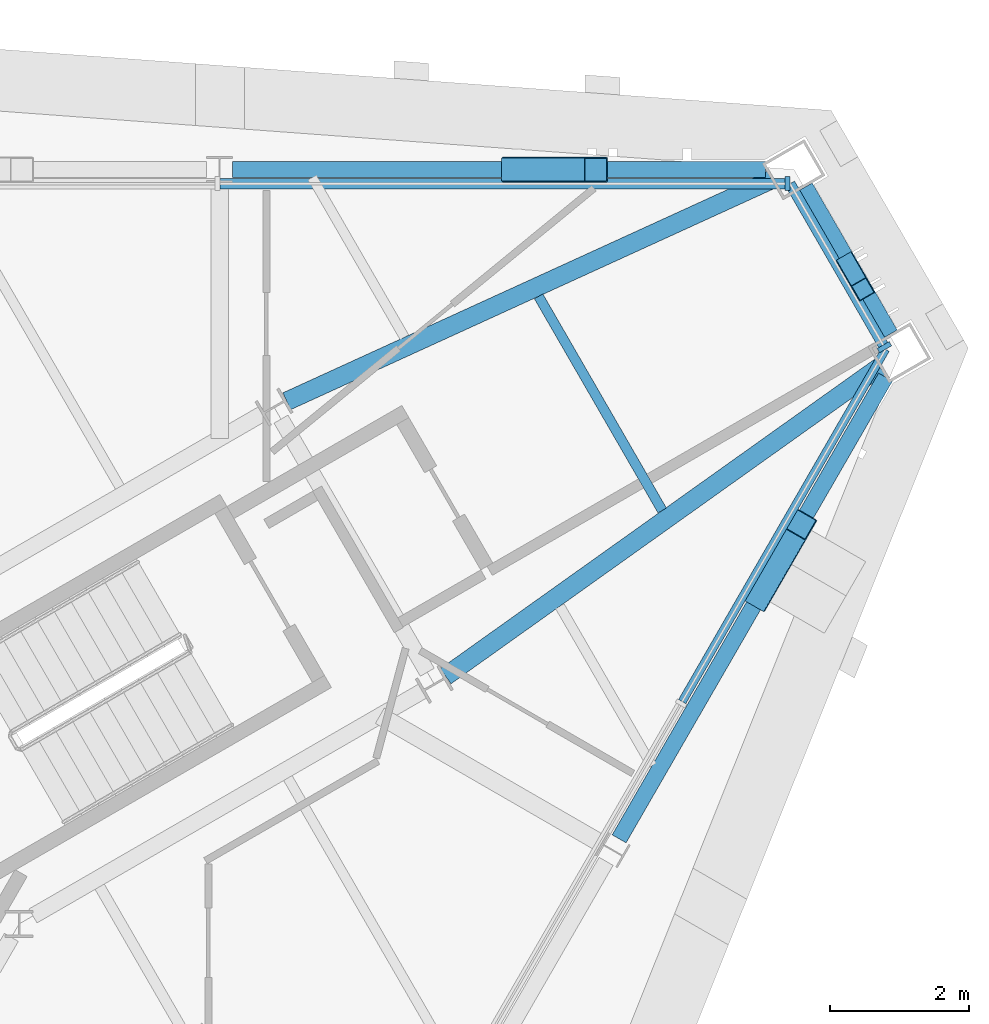
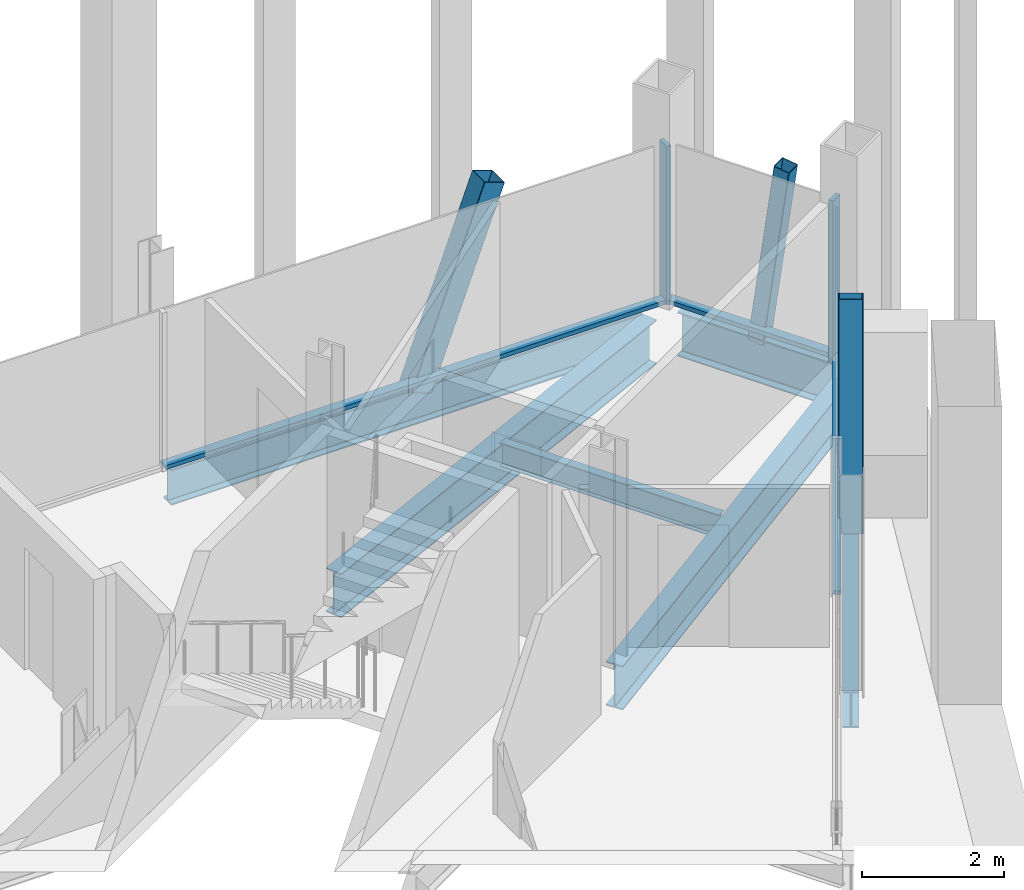
# One storey, part 7 of 15: 8 members, 6 beams, 3 elements without a shape of their own.
"""IFC4 building model written with IfcOpenShell, lengths in metres."""

from ifc_helpers import new_model, si_unit, direction, frame, origin, origin_2d, place, context, subcontext, project, spatial, rectangle, hollow_rectangle, i_section, extrude, material, material_profile, profile_set, type_object, element, aggregate, save


model = new_model("IFC4")

# Units and contexts
model_context = context("Model", 3, precision=1e-05, world=origin(), true_north=direction((0.0, 1.0)))
body_context = subcontext(model_context, "Body", "Model", "MODEL_VIEW")
ifc_project = project(units=[si_unit("LENGTHUNIT", "METRE"), si_unit("AREAUNIT", "SQUARE_METRE"), si_unit("VOLUMEUNIT", "CUBIC_METRE"), si_unit("PLANEANGLEUNIT", "RADIAN"), si_unit("MASSUNIT", "GRAM", prefix="KILO")], contexts=[model_context])

# Site, building, storey
site_placement = place(None, origin())
site = spatial("IfcSite", under=ifc_project, at=site_placement, CompositionType="ELEMENT")
building_placement = place(site_placement, origin())
building = spatial("IfcBuilding", under=site, at=building_placement, Name="Verrane Prism Tower", CompositionType="ELEMENT")
storey_placement = place(building_placement, frame((0.0, 0.0, 297.300048828125)))
storey = spatial("IfcBuildingStorey", under=building, at=storey_placement, Name="L75", CompositionType="ELEMENT", Elevation=297.300048828125)

# Member
ifc_material_1 = material(Name="Steel A500 Grade C", Category="steel")
ifc_material_profile_1 = material_profile(ifc_material_1, hollow_rectangle(XDim=0.25390625, YDim=0.25390625, WallThickness=0.009521484375, InnerFilletRadius=0.0048828125, OuterFilletRadius=0.014404296875, at=origin_2d()), Name="HSS10x10x3/8")
ifc_profile_set_1 = profile_set([ifc_material_profile_1], Name="Steel A500 Grade C")
member_type_1 = type_object("IfcMemberType", Name="Chamfer brace HSS10x10x3/8", PredefinedType="BRACE", material=ifc_profile_set_1)
member_1_placement = place(storey_placement, frame((21.38037109375, 12.2998046875, -0.24267578125), z_axis=(0.067784448094, -0.117358148939, 0.990773603541), x_axis=(0.865936922628, 0.500153222552, 0.0)))
element("IfcMember", 1, at=member_1_placement, inside=storey, type_object=member_type_1, Name="Chamfer brace NE0 L75", PredefinedType="BRACE", context=body_context, shape_type="SweptSolid", body=[
    extrude(hollow_rectangle(XDim=0.25390625, YDim=0.25390625, WallThickness=0.009521484375, InnerFilletRadius=0.0048828125, OuterFilletRadius=0.014404296875, at=origin_2d()), origin(), (0.0, 0.0, 1.0), 3.13720703125),
])

# Beams
ifc_material_2 = material(Name="Steel A992", Category="steel")
ifc_material_profile_2 = material_profile(ifc_material_2, i_section(OverallWidth=0.2666015625, OverallDepth=0.7568359375, WebThickness=0.013916015625, FlangeThickness=0.019287109375, FilletRadius=0.0166015625, at=origin_2d()), Name="W30x108")
ifc_profile_set_2 = profile_set([ifc_material_profile_2], Name="Steel A992")
beam_type_1 = type_object("IfcBeamType", Name="Chamfer spandrel beam W30x108", PredefinedType="SPANDREL", material=ifc_profile_set_2)
beam_1_placement = place(storey_placement, frame((21.969970703125, 11.27978515625, -0.53857421875), z_axis=(-0.500436097356, 0.865773476415, 0.0), x_axis=(-0.865773476415, -0.500436097356, 0.0)))
element("IfcBeam", 2, at=beam_1_placement, inside=storey, type_object=beam_type_1, Name="Chamfer spandrel beam L75", PredefinedType="SPANDREL", context=body_context, shape_type="SweptSolid", body=[
    extrude(i_section(OverallWidth=0.2666015625, OverallDepth=0.7568359375, WebThickness=0.013916015625, FlangeThickness=0.019287109375, FilletRadius=0.0166015625, at=origin_2d()), origin(), (0.0, 0.0, 1.0), 2.437744140625),
])
ifc_material_3 = material(Name="Steel A992", Category="steel")
ifc_material_profile_3 = material_profile(ifc_material_3, i_section(OverallWidth=0.2666015625, OverallDepth=0.7568359375, WebThickness=0.013916015625, FlangeThickness=0.019287109375, FilletRadius=0.0166015625, at=origin_2d()), Name="W30x108")
ifc_profile_set_3 = profile_set([ifc_material_profile_3], Name="Steel A992")
beam_type_2 = type_object("IfcBeamType", Name="Corner girder W30x108", PredefinedType="BEAM", material=ifc_profile_set_3)
for number, where, z_axis, x_axis, name in (
    (3, (21.833740234375, 10.81591796875, -0.5986328125), (-0.814401339816, -0.580302040067, 0.0), (0.580302040067, -0.814401339816, 0.0), "Corner girder L75"),
    (4, (20.2802734375, 13.50390625, -0.5986328125), (-0.909481370613, -0.415744677065, 0.0), (0.415744677065, -0.909481370613, 0.0), "Corner girder L75"),
):
    element("IfcBeam", number, at=place(storey_placement, frame(where, z_axis=z_axis, x_axis=x_axis)), inside=storey, type_object=beam_type_2, Name=name, PredefinedType="BEAM", context=body_context, shape_type="SweptSolid", body=[
        extrude(i_section(OverallWidth=0.2666015625, OverallDepth=0.7568359375, WebThickness=0.013916015625, FlangeThickness=0.019287109375, FilletRadius=0.0166015625, at=origin_2d()), origin(), (0.0, 0.0, 1.0), 7.650634765625),
    ])

# Members
ifc_material_4 = material(Name="Steel A500 Grade C", Category="steel")
ifc_material_profile_4 = material_profile(ifc_material_4, hollow_rectangle(XDim=0.355712890625, YDim=0.355712890625, WallThickness=0.0126953125, InnerFilletRadius=0.00634765625, OuterFilletRadius=0.01904296875, at=origin_2d()), Name="HSS14x14x1/2")
ifc_profile_set_4 = profile_set([ifc_material_profile_4], Name="Steel A500 Grade C")
member_type_2 = type_object("IfcMemberType", Name="Facade brace HSS14x14x1/2", PredefinedType="BRACE", material=ifc_profile_set_4)
member_2_placement = place(storey_placement, frame((16.573486328125, 13.64990234375, -0.216796875), z_axis=(0.347950987795, 0.0, 0.937512725296), x_axis=(0.0, 1.0, 0.0)))
element("IfcMember", 5, at=member_2_placement, inside=storey, type_object=member_type_2, Name="Facade brace N0 L75", PredefinedType="BRACE", context=body_context, shape_type="SweptSolid", body=[
    extrude(hollow_rectangle(XDim=0.355712890625, YDim=0.355712890625, WallThickness=0.0126953125, InnerFilletRadius=0.00634765625, OuterFilletRadius=0.01904296875, at=origin_2d()), origin(), (0.0, 0.0, 1.0), 3.409423828125),
])
member_3_placement = place(storey_placement, frame((20.106689453125, 7.531005859375, -0.216796875), z_axis=(0.17399901277, 0.301526684269, 0.937446532997), x_axis=(-0.86613421761, 0.499811481546, 0.0)))
element("IfcMember", 6, at=member_3_placement, inside=storey, type_object=member_type_2, Name="Facade brace SE4 L75", PredefinedType="BRACE", context=body_context, shape_type="SweptSolid", body=[
    extrude(hollow_rectangle(XDim=0.355712890625, YDim=0.355712890625, WallThickness=0.0126953125, InnerFilletRadius=0.00634765625, OuterFilletRadius=0.01904296875, at=origin_2d()), origin(), (0.0, 0.0, 1.0), 3.40966796875),
])

# Beam
ifc_material_5 = material(Name="Steel A992", Category="steel")
ifc_material_profile_5 = material_profile(ifc_material_5, i_section(OverallWidth=0.140380859375, OverallDepth=0.40380859375, WebThickness=0.007080078125, FlangeThickness=0.01123046875, FilletRadius=0.01025390625, at=origin_2d()), Name="W16x31")
ifc_profile_set_5 = profile_set([ifc_material_profile_5], Name="Steel A992")
beam_type_3 = type_object("IfcBeamType", Name="Floor beam W16x31", PredefinedType="BEAM", material=ifc_profile_set_5)
beam_2_placement = place(storey_placement, frame((18.712158203125, 8.755615234375, -0.362060546875), z_axis=(-0.499986454343, 0.866033224232, 0.0), x_axis=(-0.866033224232, -0.499986454343, 0.0)))
element("IfcBeam", 7, at=beam_2_placement, inside=storey, type_object=beam_type_3, Name="Floor beam L75", PredefinedType="BEAM", context=body_context, shape_type="SweptSolid", body=[
    extrude(i_section(OverallWidth=0.140380859375, OverallDepth=0.40380859375, WebThickness=0.007080078125, FlangeThickness=0.01123046875, FilletRadius=0.01025390625, at=origin_2d()), origin(), (0.0, 0.0, 1.0), 3.548828125),
])

# Curtain wall, member
ifc_material_6 = material(Name="Aluminium framed insulated glazing", Category="aluminium")
curtain_wall_type_1 = type_object("IfcCurtainWallType", Name="Curtain wall CW-A 8400 module", PredefinedType="NOTDEFINED", material=ifc_material_6)
curtain_wall_1_placement = place(storey_placement, origin())
curtain_wall_1 = element("IfcCurtainWall", 8, at=curtain_wall_1_placement, inside=storey, type_object=curtain_wall_type_1, Name="Glazed curtain wall north-east corner L75", PredefinedType="NOTDEFINED")
ifc_material_7 = material(Name="Aluminium alloy 6063-T6", Category="aluminium")
ifc_material_profile_6 = material_profile(ifc_material_7, rectangle(XDim=0.199951171875, YDim=0.070068359375, at=origin_2d()), Name="Mullion 70x200 aluminium")
ifc_profile_set_6 = profile_set([ifc_material_profile_6], Name="Aluminium alloy 6063-T6")
member_type_3 = type_object("IfcMemberType", Name="Mullion 70x200 aluminium", PredefinedType="MULLION", material=ifc_profile_set_6)
member_4_placement = place(storey_placement, frame((21.901123046875, 11.10009765625, 0.0), z_axis=(0.0, 0.0, 1.0), x_axis=(-0.866024225493, -0.500002040855, 0.0)))
member_4 = element("IfcMember", 9, at=member_4_placement, type_object=member_type_3, Name="CW75.1 mullion 1", PredefinedType="MULLION", context=body_context, shape_type="SweptSolid", body=[
    extrude(rectangle(XDim=0.199951171875, YDim=0.070068359375, at=origin_2d()), origin(), (0.0, 0.0, 1.0), 2.72314453125),
])

curtain_wall_2_placement = place(storey_placement, origin())
curtain_wall_2 = element("IfcCurtainWall", 10, at=curtain_wall_2_placement, inside=storey, type_object=curtain_wall_type_1, Name="Glazed curtain wall north face L75", PredefinedType="NOTDEFINED")
member_5_placement = place(storey_placement, frame((20.510986328125, 13.447265625, 0.0), z_axis=(0.0, 0.0, 1.0), x_axis=(0.0, -1.0, 0.0)))
member_5 = element("IfcMember", 11, at=member_5_placement, type_object=member_type_3, Name="CW75.2 mullion 1", PredefinedType="MULLION", context=body_context, shape_type="SweptSolid", body=[
    extrude(rectangle(XDim=0.199951171875, YDim=0.070068359375, at=origin_2d()), origin(), (0.0, 0.0, 1.0), 2.72314453125),
])

# Beams
ifc_material_8 = material(Name="Steel A992", Category="steel")
ifc_material_profile_7 = material_profile(ifc_material_8, i_section(OverallWidth=0.23046875, OverallDepth=0.6171875, WebThickness=0.01318359375, FlangeThickness=0.022216796875, FilletRadius=0.012939453125, at=origin_2d()), Name="W24x94")
ifc_profile_set_7 = profile_set([ifc_material_profile_7], Name="Steel A992")
beam_type_4 = type_object("IfcBeamType", Name="Spandrel beam W24x94", PredefinedType="SPANDREL", material=ifc_profile_set_7)
beam_3_placement = place(storey_placement, frame((20.19580078125, 13.64990234375, -0.46875), z_axis=(-1.0, 0.0, 0.0), x_axis=(0.0, -1.0, 0.0)))
element("IfcBeam", 12, at=beam_3_placement, inside=storey, type_object=beam_type_4, Name="Spandrel beam L75", PredefinedType="SPANDREL", context=body_context, shape_type="SweptSolid", body=[
    extrude(i_section(OverallWidth=0.23046875, OverallDepth=0.6171875, WebThickness=0.01318359375, FlangeThickness=0.022216796875, FilletRadius=0.012939453125, at=origin_2d()), origin(), (0.0, 0.0, 1.0), 7.649169921875),
])
beam_4_placement = place(storey_placement, frame((18.09326171875, 4.041748046875, -0.46875), z_axis=(0.499797022492, 0.866142561192, 0.0), x_axis=(-0.866142561192, 0.499797022492, 0.0)))
element("IfcBeam", 13, at=beam_4_placement, inside=storey, type_object=beam_type_4, Name="Spandrel beam L75", PredefinedType="SPANDREL", context=body_context, shape_type="SweptSolid", body=[
    extrude(i_section(OverallWidth=0.23046875, OverallDepth=0.6171875, WebThickness=0.01318359375, FlangeThickness=0.022216796875, FilletRadius=0.012939453125, at=origin_2d()), origin(), (0.0, 0.0, 1.0), 7.652587890625),
])

# Curtain wall, member
ifc_material_9 = material(Name="Aluminium framed insulated glazing", Category="aluminium")
curtain_wall_type_2 = type_object("IfcCurtainWallType", Name="Curtain wall CW-B 5600 module", PredefinedType="NOTDEFINED", material=ifc_material_9)
curtain_wall_3_placement = place(storey_placement, origin())
curtain_wall_3 = element("IfcCurtainWall", 14, at=curtain_wall_3_placement, inside=storey, type_object=curtain_wall_type_2, Name="Glazed curtain wall south-east face L75", PredefinedType="NOTDEFINED")
ifc_material_10 = material(Name="Aluminium alloy 6063-T6", Category="aluminium")
ifc_material_profile_8 = material_profile(ifc_material_10, rectangle(XDim=0.1201171875, YDim=0.06005859375, at=origin_2d()), Name="Transom 60x120 aluminium")
ifc_profile_set_8 = profile_set([ifc_material_profile_8], Name="Aluminium alloy 6063-T6")
member_type_4 = type_object("IfcMemberType", Name="Transom 60x120 aluminium", PredefinedType="USERDEFINED", material=ifc_profile_set_8)
member_6_placement = place(storey_placement, frame((18.99853515625, 6.011962890625, 0.030029296875), z_axis=(0.500001080802, 0.866024779782, 0.0), x_axis=(-0.866024779782, 0.500001080802, 0.0)))
member_6 = element("IfcMember", 15, at=member_6_placement, type_object=member_type_4, Name="CW75.6 transom 7", ObjectType="TRANSOM", PredefinedType="USERDEFINED", context=body_context, shape_type="SweptSolid", body=[
    extrude(rectangle(XDim=0.1201171875, YDim=0.06005859375, at=origin_2d()), origin(), (0.0, 0.0, 1.0), 5.84033203125),
])
aggregate(curtain_wall_3, [member_6])

# Member
ifc_material_11 = material(Name="Aluminium alloy 6063-T6", Category="aluminium")
ifc_material_profile_9 = material_profile(ifc_material_11, rectangle(XDim=0.14990234375, YDim=0.070068359375, at=origin_2d()), Name="Transom 70x150 aluminium")
ifc_profile_set_9 = profile_set([ifc_material_profile_9], Name="Aluminium alloy 6063-T6")
member_type_5 = type_object("IfcMemberType", Name="Transom 70x150 aluminium", PredefinedType="USERDEFINED", material=ifc_profile_set_9)
member_7_placement = place(storey_placement, frame((21.8837890625, 11.13037109375, 0.034912109375), z_axis=(-0.499996300355, 0.866027539765, 0.0), x_axis=(-0.866027539765, -0.499996300355, 0.0)))
member_7 = element("IfcMember", 16, at=member_7_placement, type_object=member_type_5, Name="CW75.1 transom 1", ObjectType="TRANSOM", PredefinedType="USERDEFINED", context=body_context, shape_type="SweptSolid", body=[
    extrude(rectangle(XDim=0.14990234375, YDim=0.070068359375, at=origin_2d()), origin(), (0.0, 0.0, 1.0), 2.67529296875),
])

aggregate(curtain_wall_1, [member_4, member_7])

member_8_placement = place(storey_placement, frame((20.47607421875, 13.447265625, 0.034912109375), z_axis=(-1.0, 0.0, 0.0), x_axis=(0.0, -1.0, 0.0)))
member_8 = element("IfcMember", 17, at=member_8_placement, type_object=member_type_5, Name="CW75.2 transom 1", ObjectType="TRANSOM", PredefinedType="USERDEFINED", context=body_context, shape_type="SweptSolid", body=[
    extrude(rectangle(XDim=0.14990234375, YDim=0.070068359375, at=origin_2d()), origin(), (0.0, 0.0, 1.0), 8.113525390625),
])

aggregate(curtain_wall_2, [member_5, member_8])

save(model, "model.ifc")
